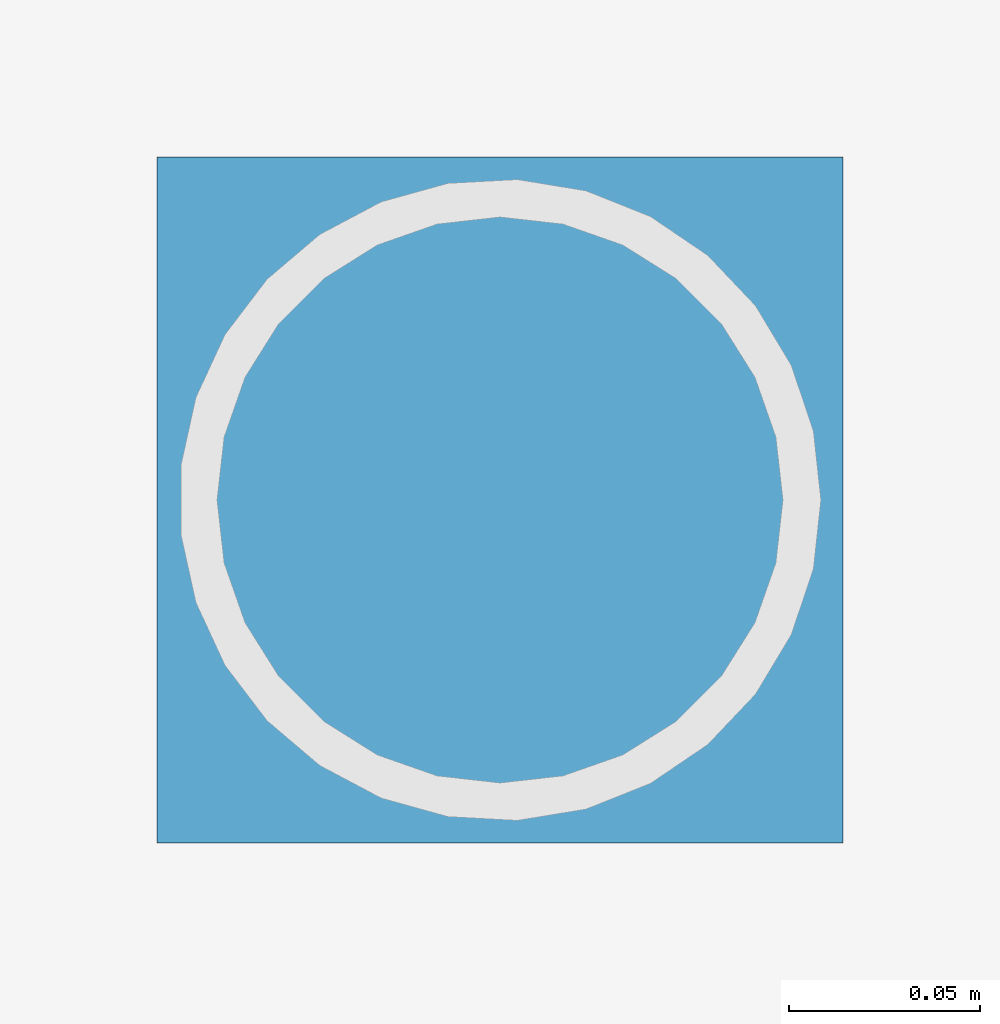
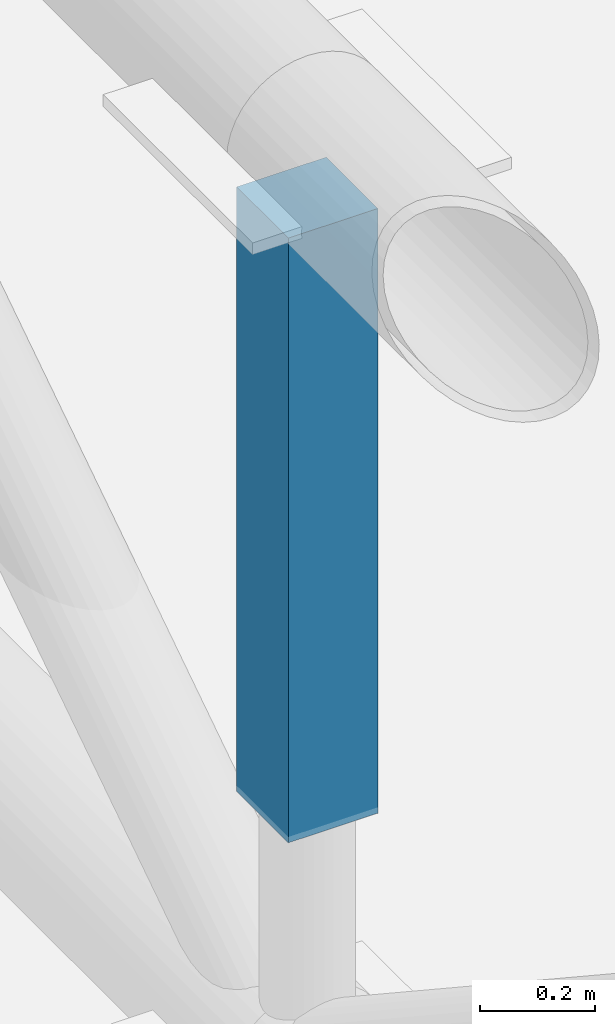
# One storey, part 107 of 123: 1 discrete accessory.
"""IFC4 building model written with IfcOpenShell, lengths in metres."""

from ifc_helpers import new_model, si_unit, direction, frame, origin, origin_2d, place, context, subcontext, project, spatial, rectangle, extrude, material, type_object, element, save


model = new_model("IFC4")

# Units and contexts
model_context = context("Model", 3, precision=1e-05, world=origin(), true_north=direction((0.0, 1.0)))
body_context = subcontext(model_context, "Body", "Model", "MODEL_VIEW")
ifc_project = project(units=[si_unit("LENGTHUNIT", "METRE"), si_unit("AREAUNIT", "SQUARE_METRE"), si_unit("VOLUMEUNIT", "CUBIC_METRE"), si_unit("PLANEANGLEUNIT", "RADIAN"), si_unit("MASSUNIT", "GRAM", prefix="KILO"), si_unit("THERMODYNAMICTEMPERATUREUNIT", "KELVIN"), si_unit("POWERUNIT", "WATT")], contexts=[model_context])

# Site, building, storey
site_placement = place(None, origin())
site = spatial("IfcSite", under=ifc_project, at=site_placement, CompositionType="ELEMENT")
building_placement = place(site_placement, origin())
building = spatial("IfcBuilding", under=site, at=building_placement, Name="Phaisarnlok Congress Hotel", CompositionType="ELEMENT")
storey_placement = place(building_placement, frame((0.0, 0.0, 15.0)))
storey = spatial("IfcBuildingStorey", under=building, at=storey_placement, Name="L03", CompositionType="ELEMENT", Elevation=15.0)

# Discrete accessory
ifc_material = material(Name="Steel S355", Category="steel")
discrete_accessory_type = type_object("IfcDiscreteAccessoryType", Name="ACC-HNG-STL", PredefinedType="BRACKET", material=ifc_material)
discrete_accessory_placement = place(storey_placement, frame((120.0, 18.0, 3.205078125), z_axis=(0.0, 0.0, 1.0), x_axis=(1.0, 0.0, 0.0)))
element("IfcDiscreteAccessory", 1, at=discrete_accessory_placement, inside=storey, type_object=discrete_accessory_type, Name="Acoustic ceiling steel suspension hanger BK-01", PredefinedType="BRACKET", context=body_context, shape_type="SweptSolid", body=[
    extrude(rectangle(XDim=0.179931640625, YDim=0.179931640625, at=origin_2d()), origin(), (0.0, 0.0, 1.0), 1.284912109375),
])

save(model, "model.ifc")
